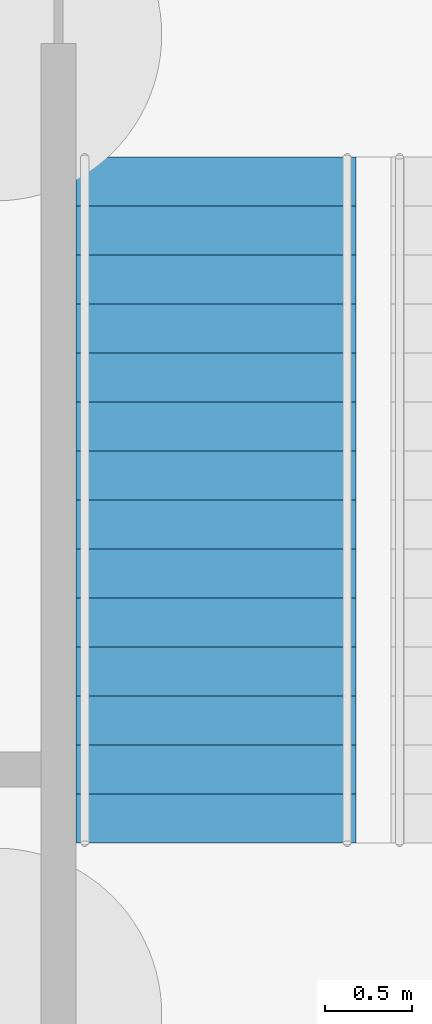
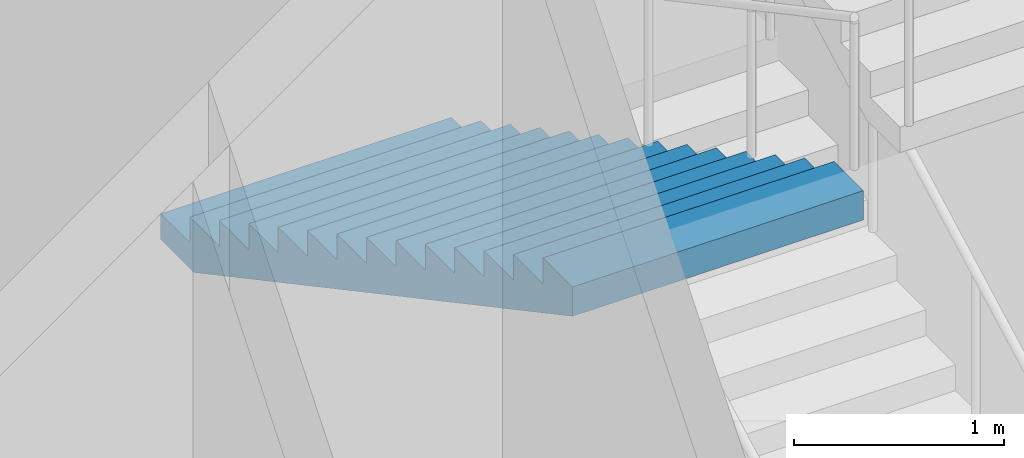
# One storey, part 101 of 113: 1 stair flight, 1 element without a shape of its own.
"""IFC4 building model written with IfcOpenShell, lengths in metres."""

from ifc_helpers import new_model, si_unit, direction, frame, origin, place, context, subcontext, project, spatial, triangles, material, type_object, element, aggregate, save


model = new_model("IFC4")

# Units and contexts
model_context = context("Model", 3, precision=1e-05, world=origin(), true_north=direction((0.0, 1.0)))
body_context = subcontext(model_context, "Body", "Model", "MODEL_VIEW")
ifc_project = project(units=[si_unit("LENGTHUNIT", "METRE"), si_unit("AREAUNIT", "SQUARE_METRE"), si_unit("VOLUMEUNIT", "CUBIC_METRE"), si_unit("PLANEANGLEUNIT", "RADIAN"), si_unit("MASSUNIT", "GRAM", prefix="KILO")], contexts=[model_context])

# Site, building, storey
site_placement = place(None, origin())
site = spatial("IfcSite", under=ifc_project, at=site_placement, CompositionType="ELEMENT")
building_placement = place(site_placement, origin())
building = spatial("IfcBuilding", under=site, at=building_placement, Name="Hakoniwa Tower and Hamabe Station Hall", CompositionType="ELEMENT")
storey_placement = place(building_placement, origin())
storey = spatial("IfcBuildingStorey", under=building, at=storey_placement, Name="L01", CompositionType="ELEMENT", Elevation=0.0)

# Stair, stair flight
ifc_material_1 = material(Name="Concrete C40", Category="concrete")
stair_type = type_object("IfcStairType", Name="STAIR 1600 15X150", PredefinedType="HALF_TURN_STAIR", material=ifc_material_1)
stair_placement = place(storey_placement, origin())
stair = element("IfcStair", 1, at=stair_placement, inside=storey, type_object=stair_type, Name="Escape stair SS4 L01", PredefinedType="HALF_TURN_STAIR")
ifc_material_2 = material(Name="Concrete C40", Category="concrete")
stair_flight_type = type_object("IfcStairFlightType", Name="STAIR FLIGHT 1600", PredefinedType="STRAIGHT", material=ifc_material_2)
stair_flight_placement = place(storey_placement, frame((165.85009765625, -16.89990234375, 4.5), z_axis=(0.0, 0.0, 1.0), x_axis=(0.0, -1.0, 0.0)))
stair_flight = element("IfcStairFlight", 2, at=stair_flight_placement, type_object=stair_flight_type, Name="SS4 flight 3", NumberOfRisers=15, NumberOfTreads=14, PredefinedType="STRAIGHT", RiserHeight=0.15, TreadLength=0.28, context=body_context, shape_type="Tessellation", body=[
    triangles([(0.0, 0.800048828125, 0.0), (0.280029296875, 0.800048828125, 0.0), (0.3173828125, 0.800048828125, 0.0), (0.56005859375, 0.800048828125, 0.1298828125), (0.840087890625, 0.800048828125, 0.280029296875), (1.1201171875, 0.800048828125, 0.429931640625), (1.39990234375, 0.800048828125, 0.579833984375), (1.679931640625, 0.800048828125, 0.72998046875), (1.9599609375, 0.800048828125, 0.8798828125), (2.239990234375, 0.800048828125, 1.030029296875), (2.52001953125, 0.800048828125, 1.179931640625), (2.800048828125, 0.800048828125, 1.329833984375), (3.080078125, 0.800048828125, 1.47998046875), (3.360107421875, 0.800048828125, 1.6298828125), (3.639892578125, 0.800048828125, 1.780029296875), (3.919921875, 0.800048828125, 1.929931640625), (3.919921875, 0.800048828125, 2.10009765625), (3.639892578125, 0.800048828125, 2.10009765625), (3.639892578125, 0.800048828125, 1.949951171875), (3.360107421875, 0.800048828125, 1.949951171875), (3.360107421875, 0.800048828125, 1.800048828125), (3.080078125, 0.800048828125, 1.800048828125), (3.080078125, 0.800048828125, 1.64990234375), (2.800048828125, 0.800048828125, 1.64990234375), (2.800048828125, 0.800048828125, 1.5), (2.52001953125, 0.800048828125, 1.5), (2.52001953125, 0.800048828125, 1.35009765625), (2.239990234375, 0.800048828125, 1.35009765625), (2.239990234375, 0.800048828125, 1.199951171875), (1.9599609375, 0.800048828125, 1.199951171875), (1.9599609375, 0.800048828125, 1.050048828125), (1.679931640625, 0.800048828125, 1.050048828125), (1.679931640625, 0.800048828125, 0.89990234375), (1.39990234375, 0.800048828125, 0.89990234375), (1.39990234375, 0.800048828125, 0.75), (1.1201171875, 0.800048828125, 0.75), (1.1201171875, 0.800048828125, 0.60009765625), (0.840087890625, 0.800048828125, 0.60009765625), (0.840087890625, 0.800048828125, 0.449951171875), (0.56005859375, 0.800048828125, 0.449951171875), (0.56005859375, 0.800048828125, 0.300048828125), (0.3173828125, 0.800048828125, 0.300048828125), (0.280029296875, 0.800048828125, 0.300048828125), (0.280029296875, 0.800048828125, 0.14990234375), (0.0, 0.800048828125, 0.14990234375), (0.0, 0.06005859375, 0.0), (0.280029296875, 0.06005859375, 0.0), (0.3173828125, 0.06005859375, 0.0), (0.56005859375, 0.06005859375, 0.1298828125), (0.840087890625, 0.06005859375, 0.280029296875), (1.1201171875, 0.06005859375, 0.429931640625), (1.39990234375, 0.06005859375, 0.579833984375), (1.679931640625, 0.06005859375, 0.72998046875), (1.9599609375, 0.06005859375, 0.8798828125), (2.239990234375, 0.06005859375, 1.030029296875), (2.52001953125, 0.06005859375, 1.179931640625), (2.800048828125, 0.06005859375, 1.329833984375), (3.080078125, 0.06005859375, 1.47998046875), (3.360107421875, 0.06005859375, 1.6298828125), (3.639892578125, 0.06005859375, 1.780029296875), (3.919921875, 0.06005859375, 1.929931640625), (3.919921875, 0.06005859375, 2.10009765625), (3.639892578125, 0.06005859375, 2.10009765625), (3.639892578125, 0.06005859375, 1.949951171875), (3.360107421875, 0.06005859375, 1.949951171875), (3.360107421875, 0.06005859375, 1.800048828125), (3.080078125, 0.06005859375, 1.800048828125), (3.080078125, 0.06005859375, 1.64990234375), (2.800048828125, 0.06005859375, 1.64990234375), (2.800048828125, 0.06005859375, 1.5), (2.52001953125, 0.06005859375, 1.5), (2.52001953125, 0.06005859375, 1.35009765625), (2.239990234375, 0.06005859375, 1.35009765625), (2.239990234375, 0.06005859375, 1.199951171875), (1.9599609375, 0.06005859375, 1.199951171875), (1.9599609375, 0.06005859375, 1.050048828125), (1.679931640625, 0.06005859375, 1.050048828125), (1.679931640625, 0.06005859375, 0.89990234375), (1.39990234375, 0.06005859375, 0.89990234375), (1.39990234375, 0.06005859375, 0.75), (1.1201171875, 0.06005859375, 0.75), (1.1201171875, 0.06005859375, 0.60009765625), (0.840087890625, 0.06005859375, 0.60009765625), (0.840087890625, 0.06005859375, 0.449951171875), (0.56005859375, 0.06005859375, 0.449951171875), (0.56005859375, 0.06005859375, 0.300048828125), (0.3173828125, 0.06005859375, 0.300048828125), (0.280029296875, 0.06005859375, 0.300048828125), (0.280029296875, 0.06005859375, 0.14990234375), (0.0, 0.06005859375, 0.14990234375), (0.0, 0.02001953125, 0.0), (0.280029296875, 0.02001953125, 0.0), (0.3173828125, 0.02001953125, 0.0), (0.56005859375, 0.02001953125, 0.1298828125), (0.840087890625, 0.02001953125, 0.280029296875), (1.1201171875, 0.02001953125, 0.429931640625), (1.39990234375, 0.02001953125, 0.579833984375), (1.679931640625, 0.02001953125, 0.72998046875), (1.9599609375, 0.02001953125, 0.8798828125), (2.239990234375, 0.02001953125, 1.030029296875), (2.52001953125, 0.02001953125, 1.179931640625), (2.800048828125, 0.02001953125, 1.329833984375), (3.080078125, 0.02001953125, 1.47998046875), (3.360107421875, 0.02001953125, 1.6298828125), (3.639892578125, 0.02001953125, 1.780029296875), (3.919921875, 0.02001953125, 1.929931640625), (3.919921875, 0.02001953125, 2.10009765625), (3.639892578125, 0.02001953125, 2.10009765625), (3.639892578125, 0.02001953125, 1.949951171875), (3.360107421875, 0.02001953125, 1.949951171875), (3.360107421875, 0.02001953125, 1.800048828125), (3.080078125, 0.02001953125, 1.800048828125), (3.080078125, 0.02001953125, 1.64990234375), (2.800048828125, 0.02001953125, 1.64990234375), (2.800048828125, 0.02001953125, 1.5), (2.52001953125, 0.02001953125, 1.5), (2.52001953125, 0.02001953125, 1.35009765625), (2.239990234375, 0.02001953125, 1.35009765625), (2.239990234375, 0.02001953125, 1.199951171875), (1.9599609375, 0.02001953125, 1.199951171875), (1.9599609375, 0.02001953125, 1.050048828125), (1.679931640625, 0.02001953125, 1.050048828125), (1.679931640625, 0.02001953125, 0.89990234375), (1.39990234375, 0.02001953125, 0.89990234375), (1.39990234375, 0.02001953125, 0.75), (1.1201171875, 0.02001953125, 0.75), (1.1201171875, 0.02001953125, 0.60009765625), (0.840087890625, 0.02001953125, 0.60009765625), (0.840087890625, 0.02001953125, 0.449951171875), (0.56005859375, 0.02001953125, 0.449951171875), (0.56005859375, 0.02001953125, 0.300048828125), (0.3173828125, 0.02001953125, 0.300048828125), (0.280029296875, 0.02001953125, 0.300048828125), (0.280029296875, 0.02001953125, 0.14990234375), (0.0, 0.02001953125, 0.14990234375), (0.0, -0.02001953125, 0.0), (0.280029296875, -0.02001953125, 0.0), (0.3173828125, -0.02001953125, 0.0), (0.56005859375, -0.02001953125, 0.1298828125), (0.840087890625, -0.02001953125, 0.280029296875), (1.1201171875, -0.02001953125, 0.429931640625), (1.39990234375, -0.02001953125, 0.579833984375), (1.679931640625, -0.02001953125, 0.72998046875), (1.9599609375, -0.02001953125, 0.8798828125), (2.239990234375, -0.02001953125, 1.030029296875), (2.52001953125, -0.02001953125, 1.179931640625), (2.800048828125, -0.02001953125, 1.329833984375), (3.080078125, -0.02001953125, 1.47998046875), (3.360107421875, -0.02001953125, 1.6298828125), (3.639892578125, -0.02001953125, 1.780029296875), (3.919921875, -0.02001953125, 1.929931640625), (3.919921875, -0.02001953125, 2.10009765625), (3.639892578125, -0.02001953125, 2.10009765625), (3.639892578125, -0.02001953125, 1.949951171875), (3.360107421875, -0.02001953125, 1.949951171875), (3.360107421875, -0.02001953125, 1.800048828125), (3.080078125, -0.02001953125, 1.800048828125), (3.080078125, -0.02001953125, 1.64990234375), (2.800048828125, -0.02001953125, 1.64990234375), (2.800048828125, -0.02001953125, 1.5), (2.52001953125, -0.02001953125, 1.5), (2.52001953125, -0.02001953125, 1.35009765625), (2.239990234375, -0.02001953125, 1.35009765625), (2.239990234375, -0.02001953125, 1.199951171875), (1.9599609375, -0.02001953125, 1.199951171875), (1.9599609375, -0.02001953125, 1.050048828125), (1.679931640625, -0.02001953125, 1.050048828125), (1.679931640625, -0.02001953125, 0.89990234375), (1.39990234375, -0.02001953125, 0.89990234375), (1.39990234375, -0.02001953125, 0.75), (1.1201171875, -0.02001953125, 0.75), (1.1201171875, -0.02001953125, 0.60009765625), (0.840087890625, -0.02001953125, 0.60009765625), (0.840087890625, -0.02001953125, 0.449951171875), (0.56005859375, -0.02001953125, 0.449951171875), (0.56005859375, -0.02001953125, 0.300048828125), (0.3173828125, -0.02001953125, 0.300048828125), (0.280029296875, -0.02001953125, 0.300048828125), (0.280029296875, -0.02001953125, 0.14990234375), (0.0, -0.02001953125, 0.14990234375), (0.0, -0.06005859375, 0.0), (0.280029296875, -0.06005859375, 0.0), (0.3173828125, -0.06005859375, 0.0), (0.56005859375, -0.06005859375, 0.1298828125), (0.840087890625, -0.06005859375, 0.280029296875), (1.1201171875, -0.06005859375, 0.429931640625), (1.39990234375, -0.06005859375, 0.579833984375), (1.679931640625, -0.06005859375, 0.72998046875), (1.9599609375, -0.06005859375, 0.8798828125), (2.239990234375, -0.06005859375, 1.030029296875), (2.52001953125, -0.06005859375, 1.179931640625), (2.800048828125, -0.06005859375, 1.329833984375), (3.080078125, -0.06005859375, 1.47998046875), (3.360107421875, -0.06005859375, 1.6298828125), (3.639892578125, -0.06005859375, 1.780029296875), (3.919921875, -0.06005859375, 1.929931640625), (3.919921875, -0.06005859375, 2.10009765625), (3.639892578125, -0.06005859375, 2.10009765625), (3.639892578125, -0.06005859375, 1.949951171875), (3.360107421875, -0.06005859375, 1.949951171875), (3.360107421875, -0.06005859375, 1.800048828125), (3.080078125, -0.06005859375, 1.800048828125), (3.080078125, -0.06005859375, 1.64990234375), (2.800048828125, -0.06005859375, 1.64990234375), (2.800048828125, -0.06005859375, 1.5), (2.52001953125, -0.06005859375, 1.5), (2.52001953125, -0.06005859375, 1.35009765625), (2.239990234375, -0.06005859375, 1.35009765625), (2.239990234375, -0.06005859375, 1.199951171875), (1.9599609375, -0.06005859375, 1.199951171875), (1.9599609375, -0.06005859375, 1.050048828125), (1.679931640625, -0.06005859375, 1.050048828125), (1.679931640625, -0.06005859375, 0.89990234375), (1.39990234375, -0.06005859375, 0.89990234375), (1.39990234375, -0.06005859375, 0.75), (1.1201171875, -0.06005859375, 0.75), (1.1201171875, -0.06005859375, 0.60009765625), (0.840087890625, -0.06005859375, 0.60009765625), (0.840087890625, -0.06005859375, 0.449951171875), (0.56005859375, -0.06005859375, 0.449951171875), (0.56005859375, -0.06005859375, 0.300048828125), (0.3173828125, -0.06005859375, 0.300048828125), (0.280029296875, -0.06005859375, 0.300048828125), (0.280029296875, -0.06005859375, 0.14990234375), (0.0, -0.06005859375, 0.14990234375), (0.0, -0.800048828125, 0.0), (0.280029296875, -0.800048828125, 0.0), (0.3173828125, -0.800048828125, 0.0), (0.56005859375, -0.800048828125, 0.1298828125), (0.840087890625, -0.800048828125, 0.280029296875), (1.1201171875, -0.800048828125, 0.429931640625), (1.39990234375, -0.800048828125, 0.579833984375), (1.679931640625, -0.800048828125, 0.72998046875), (1.9599609375, -0.800048828125, 0.8798828125), (2.239990234375, -0.800048828125, 1.030029296875), (2.52001953125, -0.800048828125, 1.179931640625), (2.800048828125, -0.800048828125, 1.329833984375), (3.080078125, -0.800048828125, 1.47998046875), (3.360107421875, -0.800048828125, 1.6298828125), (3.639892578125, -0.800048828125, 1.780029296875), (3.919921875, -0.800048828125, 1.929931640625), (3.919921875, -0.800048828125, 2.10009765625), (3.639892578125, -0.800048828125, 2.10009765625), (3.639892578125, -0.800048828125, 1.949951171875), (3.360107421875, -0.800048828125, 1.949951171875), (3.360107421875, -0.800048828125, 1.800048828125), (3.080078125, -0.800048828125, 1.800048828125), (3.080078125, -0.800048828125, 1.64990234375), (2.800048828125, -0.800048828125, 1.64990234375), (2.800048828125, -0.800048828125, 1.5), (2.52001953125, -0.800048828125, 1.5), (2.52001953125, -0.800048828125, 1.35009765625), (2.239990234375, -0.800048828125, 1.35009765625), (2.239990234375, -0.800048828125, 1.199951171875), (1.9599609375, -0.800048828125, 1.199951171875), (1.9599609375, -0.800048828125, 1.050048828125), (1.679931640625, -0.800048828125, 1.050048828125), (1.679931640625, -0.800048828125, 0.89990234375), (1.39990234375, -0.800048828125, 0.89990234375), (1.39990234375, -0.800048828125, 0.75), (1.1201171875, -0.800048828125, 0.75), (1.1201171875, -0.800048828125, 0.60009765625), (0.840087890625, -0.800048828125, 0.60009765625), (0.840087890625, -0.800048828125, 0.449951171875), (0.56005859375, -0.800048828125, 0.449951171875), (0.56005859375, -0.800048828125, 0.300048828125), (0.3173828125, -0.800048828125, 0.300048828125), (0.280029296875, -0.800048828125, 0.300048828125), (0.280029296875, -0.800048828125, 0.14990234375), (0.0, -0.800048828125, 0.14990234375)], [[2, 45, 44], [227, 269, 270], [2, 1, 45], [227, 270, 226], [3, 43, 42], [228, 267, 268], [3, 44, 43], [228, 268, 269], [3, 2, 44], [228, 269, 227], [4, 42, 41], [229, 266, 267], [4, 3, 42], [229, 267, 228], [5, 40, 39], [230, 264, 265], [5, 41, 40], [230, 265, 266], [5, 4, 41], [230, 266, 229], [6, 38, 37], [231, 262, 263], [6, 39, 38], [231, 263, 264], [6, 5, 39], [231, 264, 230], [7, 36, 35], [232, 260, 261], [7, 37, 36], [232, 261, 262], [7, 6, 37], [232, 262, 231], [8, 34, 33], [233, 258, 259], [8, 35, 34], [233, 259, 260], [8, 7, 35], [233, 260, 232], [9, 32, 31], [234, 256, 257], [9, 33, 32], [234, 257, 258], [9, 8, 33], [234, 258, 233], [10, 30, 29], [235, 254, 255], [10, 31, 30], [235, 255, 256], [10, 9, 31], [235, 256, 234], [11, 28, 27], [236, 252, 253], [11, 29, 28], [236, 253, 254], [11, 10, 29], [236, 254, 235], [12, 26, 25], [237, 250, 251], [12, 27, 26], [237, 251, 252], [12, 11, 27], [237, 252, 236], [13, 24, 23], [238, 248, 249], [13, 25, 24], [238, 249, 250], [13, 12, 25], [238, 250, 237], [14, 22, 21], [239, 246, 247], [14, 23, 22], [239, 247, 248], [14, 13, 23], [239, 248, 238], [15, 20, 19], [240, 244, 245], [15, 21, 20], [240, 245, 246], [15, 14, 21], [240, 246, 239], [16, 18, 17], [241, 242, 243], [16, 19, 18], [241, 243, 244], [16, 15, 19], [241, 244, 240], [1, 2, 47], [1, 47, 46], [46, 47, 92], [46, 92, 91], [91, 92, 137], [91, 137, 136], [136, 137, 182], [136, 182, 181], [181, 182, 227], [181, 227, 226], [2, 3, 48], [2, 48, 47], [47, 48, 93], [47, 93, 92], [92, 93, 138], [92, 138, 137], [137, 138, 183], [137, 183, 182], [182, 183, 228], [182, 228, 227], [3, 4, 49], [3, 49, 48], [48, 49, 94], [48, 94, 93], [93, 94, 139], [93, 139, 138], [138, 139, 184], [138, 184, 183], [183, 184, 229], [183, 229, 228], [4, 5, 50], [4, 50, 49], [49, 50, 95], [49, 95, 94], [94, 95, 140], [94, 140, 139], [139, 140, 185], [139, 185, 184], [184, 185, 230], [184, 230, 229], [5, 6, 51], [5, 51, 50], [50, 51, 96], [50, 96, 95], [95, 96, 141], [95, 141, 140], [140, 141, 186], [140, 186, 185], [185, 186, 231], [185, 231, 230], [6, 7, 52], [6, 52, 51], [51, 52, 97], [51, 97, 96], [96, 97, 142], [96, 142, 141], [141, 142, 187], [141, 187, 186], [186, 187, 232], [186, 232, 231], [7, 8, 53], [7, 53, 52], [52, 53, 98], [52, 98, 97], [97, 98, 143], [97, 143, 142], [142, 143, 188], [142, 188, 187], [187, 188, 233], [187, 233, 232], [8, 9, 54], [8, 54, 53], [53, 54, 99], [53, 99, 98], [98, 99, 144], [98, 144, 143], [143, 144, 189], [143, 189, 188], [188, 189, 234], [188, 234, 233], [9, 10, 55], [9, 55, 54], [54, 55, 100], [54, 100, 99], [99, 100, 145], [99, 145, 144], [144, 145, 190], [144, 190, 189], [189, 190, 235], [189, 235, 234], [10, 11, 56], [10, 56, 55], [55, 56, 101], [55, 101, 100], [100, 101, 146], [100, 146, 145], [145, 146, 191], [145, 191, 190], [190, 191, 236], [190, 236, 235], [11, 12, 57], [11, 57, 56], [56, 57, 102], [56, 102, 101], [101, 102, 147], [101, 147, 146], [146, 147, 192], [146, 192, 191], [191, 192, 237], [191, 237, 236], [12, 13, 58], [12, 58, 57], [57, 58, 103], [57, 103, 102], [102, 103, 148], [102, 148, 147], [147, 148, 193], [147, 193, 192], [192, 193, 238], [192, 238, 237], [13, 14, 59], [13, 59, 58], [58, 59, 104], [58, 104, 103], [103, 104, 149], [103, 149, 148], [148, 149, 194], [148, 194, 193], [193, 194, 239], [193, 239, 238], [14, 15, 60], [14, 60, 59], [59, 60, 105], [59, 105, 104], [104, 105, 150], [104, 150, 149], [149, 150, 195], [149, 195, 194], [194, 195, 240], [194, 240, 239], [15, 16, 61], [15, 61, 60], [60, 61, 106], [60, 106, 105], [105, 106, 151], [105, 151, 150], [150, 151, 196], [150, 196, 195], [195, 196, 241], [195, 241, 240], [16, 17, 62], [16, 62, 61], [61, 62, 107], [61, 107, 106], [106, 107, 152], [106, 152, 151], [151, 152, 197], [151, 197, 196], [196, 197, 242], [196, 242, 241], [17, 18, 63], [17, 63, 62], [62, 63, 108], [62, 108, 107], [107, 108, 153], [107, 153, 152], [152, 153, 198], [152, 198, 197], [197, 198, 243], [197, 243, 242], [18, 19, 64], [18, 64, 63], [63, 64, 109], [63, 109, 108], [108, 109, 154], [108, 154, 153], [153, 154, 199], [153, 199, 198], [198, 199, 244], [198, 244, 243], [19, 20, 65], [19, 65, 64], [64, 65, 110], [64, 110, 109], [109, 110, 155], [109, 155, 154], [154, 155, 200], [154, 200, 199], [199, 200, 245], [199, 245, 244], [20, 21, 66], [20, 66, 65], [65, 66, 111], [65, 111, 110], [110, 111, 156], [110, 156, 155], [155, 156, 201], [155, 201, 200], [200, 201, 246], [200, 246, 245], [21, 22, 67], [21, 67, 66], [66, 67, 112], [66, 112, 111], [111, 112, 157], [111, 157, 156], [156, 157, 202], [156, 202, 201], [201, 202, 247], [201, 247, 246], [22, 23, 68], [22, 68, 67], [67, 68, 113], [67, 113, 112], [112, 113, 158], [112, 158, 157], [157, 158, 203], [157, 203, 202], [202, 203, 248], [202, 248, 247], [23, 24, 69], [23, 69, 68], [68, 69, 114], [68, 114, 113], [113, 114, 159], [113, 159, 158], [158, 159, 204], [158, 204, 203], [203, 204, 249], [203, 249, 248], [24, 25, 70], [24, 70, 69], [69, 70, 115], [69, 115, 114], [114, 115, 160], [114, 160, 159], [159, 160, 205], [159, 205, 204], [204, 205, 250], [204, 250, 249], [25, 26, 71], [25, 71, 70], [70, 71, 116], [70, 116, 115], [115, 116, 161], [115, 161, 160], [160, 161, 206], [160, 206, 205], [205, 206, 251], [205, 251, 250], [26, 27, 72], [26, 72, 71], [71, 72, 117], [71, 117, 116], [116, 117, 162], [116, 162, 161], [161, 162, 207], [161, 207, 206], [206, 207, 252], [206, 252, 251], [27, 28, 73], [27, 73, 72], [72, 73, 118], [72, 118, 117], [117, 118, 163], [117, 163, 162], [162, 163, 208], [162, 208, 207], [207, 208, 253], [207, 253, 252], [28, 29, 74], [28, 74, 73], [73, 74, 119], [73, 119, 118], [118, 119, 164], [118, 164, 163], [163, 164, 209], [163, 209, 208], [208, 209, 254], [208, 254, 253], [29, 30, 75], [29, 75, 74], [74, 75, 120], [74, 120, 119], [119, 120, 165], [119, 165, 164], [164, 165, 210], [164, 210, 209], [209, 210, 255], [209, 255, 254], [30, 31, 76], [30, 76, 75], [75, 76, 121], [75, 121, 120], [120, 121, 166], [120, 166, 165], [165, 166, 211], [165, 211, 210], [210, 211, 256], [210, 256, 255], [31, 32, 77], [31, 77, 76], [76, 77, 122], [76, 122, 121], [121, 122, 167], [121, 167, 166], [166, 167, 212], [166, 212, 211], [211, 212, 257], [211, 257, 256], [32, 33, 78], [32, 78, 77], [77, 78, 123], [77, 123, 122], [122, 123, 168], [122, 168, 167], [167, 168, 213], [167, 213, 212], [212, 213, 258], [212, 258, 257], [33, 34, 79], [33, 79, 78], [78, 79, 124], [78, 124, 123], [123, 124, 169], [123, 169, 168], [168, 169, 214], [168, 214, 213], [213, 214, 259], [213, 259, 258], [34, 35, 80], [34, 80, 79], [79, 80, 125], [79, 125, 124], [124, 125, 170], [124, 170, 169], [169, 170, 215], [169, 215, 214], [214, 215, 260], [214, 260, 259], [35, 36, 81], [35, 81, 80], [80, 81, 126], [80, 126, 125], [125, 126, 171], [125, 171, 170], [170, 171, 216], [170, 216, 215], [215, 216, 261], [215, 261, 260], [36, 37, 82], [36, 82, 81], [81, 82, 127], [81, 127, 126], [126, 127, 172], [126, 172, 171], [171, 172, 217], [171, 217, 216], [216, 217, 262], [216, 262, 261], [37, 38, 83], [37, 83, 82], [82, 83, 128], [82, 128, 127], [127, 128, 173], [127, 173, 172], [172, 173, 218], [172, 218, 217], [217, 218, 263], [217, 263, 262], [38, 39, 84], [38, 84, 83], [83, 84, 129], [83, 129, 128], [128, 129, 174], [128, 174, 173], [173, 174, 219], [173, 219, 218], [218, 219, 264], [218, 264, 263], [39, 40, 85], [39, 85, 84], [84, 85, 130], [84, 130, 129], [129, 130, 175], [129, 175, 174], [174, 175, 220], [174, 220, 219], [219, 220, 265], [219, 265, 264], [40, 41, 86], [40, 86, 85], [85, 86, 131], [85, 131, 130], [130, 131, 176], [130, 176, 175], [175, 176, 221], [175, 221, 220], [220, 221, 266], [220, 266, 265], [41, 42, 87], [41, 87, 86], [86, 87, 132], [86, 132, 131], [131, 132, 177], [131, 177, 176], [176, 177, 222], [176, 222, 221], [221, 222, 267], [221, 267, 266], [42, 43, 88], [42, 88, 87], [87, 88, 133], [87, 133, 132], [132, 133, 178], [132, 178, 177], [177, 178, 223], [177, 223, 222], [222, 223, 268], [222, 268, 267], [43, 44, 89], [43, 89, 88], [88, 89, 134], [88, 134, 133], [133, 134, 179], [133, 179, 178], [178, 179, 224], [178, 224, 223], [223, 224, 269], [223, 269, 268], [44, 45, 90], [44, 90, 89], [89, 90, 135], [89, 135, 134], [134, 135, 180], [134, 180, 179], [179, 180, 225], [179, 225, 224], [224, 225, 270], [224, 270, 269], [45, 1, 46], [45, 46, 90], [90, 46, 91], [90, 91, 135], [135, 91, 136], [135, 136, 180], [180, 136, 181], [180, 181, 225], [225, 181, 226], [225, 226, 270]], closed=True),
])
aggregate(stair, [stair_flight])

save(model, "model.ifc")
